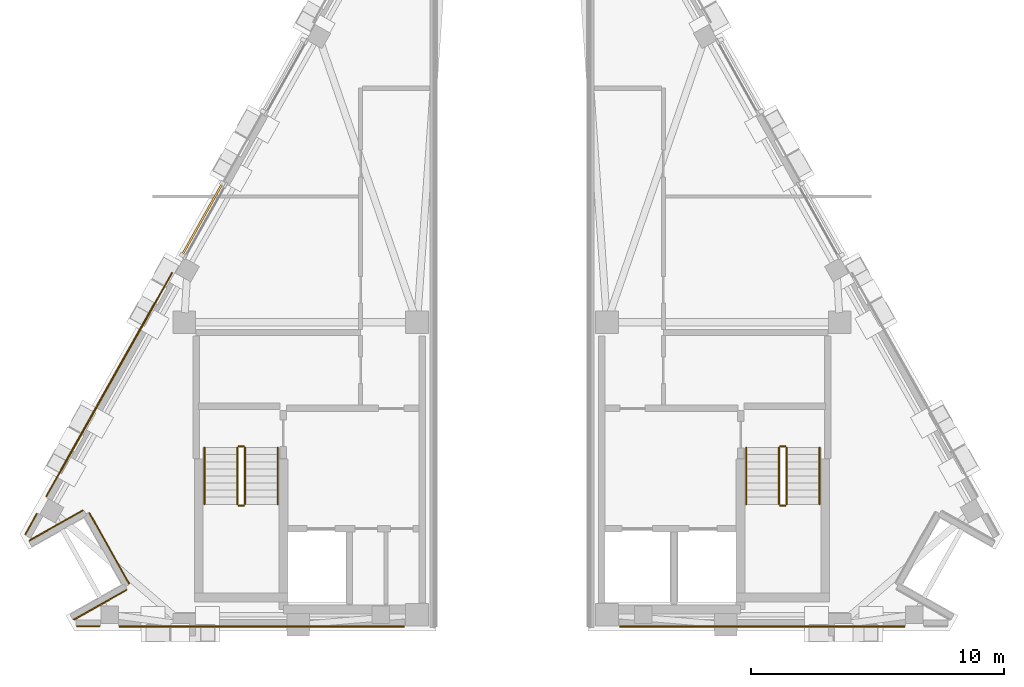
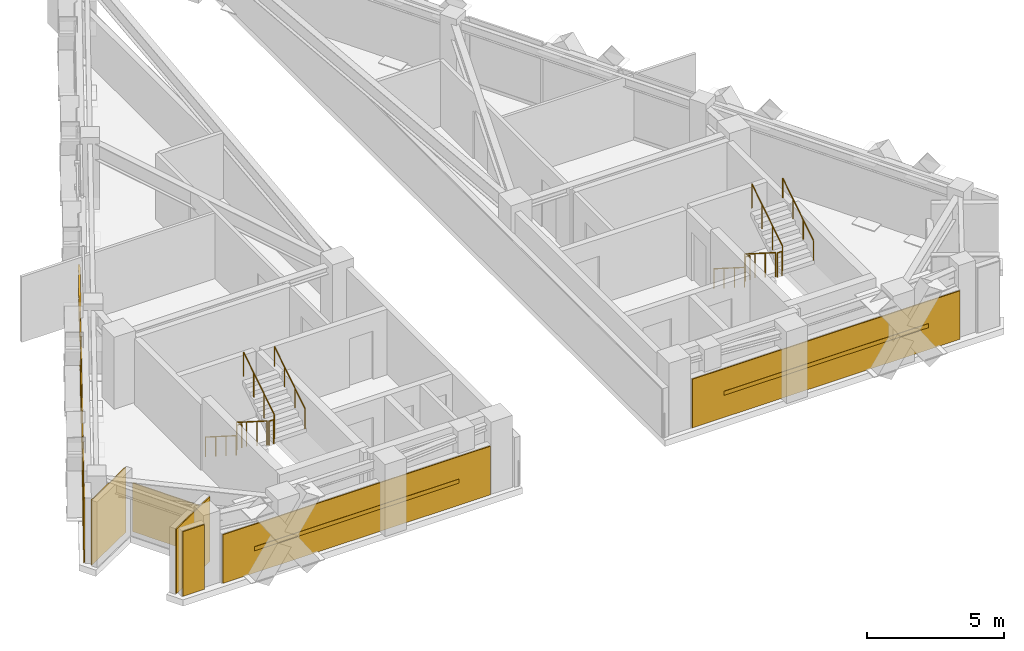
# One storey, part 6 of 7: 12 railings, 8 coverings, 5 shading devices.
"""IFC4 building model written with IfcOpenShell, lengths in metres."""

from ifc_helpers import new_model, si_unit, direction, frame, origin, origin_2d, place, context, subcontext, project, spatial, polyline, rectangle, circle, outline, extrude, material, layer, layer_set, material_profile, profile_set, type_object, element, save


model = new_model("IFC4")

# Units and contexts
model_context = context("Model", 3, precision=1e-05, world=origin(), true_north=direction((0.0, 1.0)))
body_context = subcontext(model_context, "Body", "Model", "MODEL_VIEW")
ifc_project = project(units=[si_unit("LENGTHUNIT", "METRE"), si_unit("AREAUNIT", "SQUARE_METRE"), si_unit("VOLUMEUNIT", "CUBIC_METRE"), si_unit("PLANEANGLEUNIT", "RADIAN"), si_unit("MASSUNIT", "GRAM", prefix="KILO")], contexts=[model_context])

# Site, building, storey
site_placement = place(None, origin())
site = spatial("IfcSite", under=ifc_project, at=site_placement, CompositionType="ELEMENT")
building_placement = place(site_placement, origin())
building = spatial("IfcBuilding", under=site, at=building_placement, Name="Quenlor Broadcast Tower", CompositionType="ELEMENT")
storey_placement = place(building_placement, frame((0.0, 0.0, 274.10009765625)))
storey = spatial("IfcBuildingStorey", under=building, at=storey_placement, Name="L76", CompositionType="ELEMENT", Elevation=274.10009765625)

# Shading devices
ifc_material_1 = material(Name="Architectural Terracotta Ceramic", Category="masonry")
ifc_material_profile_1 = material_profile(ifc_material_1, rectangle(XDim=0.074951171875, YDim=0.110107421875, at=origin_2d()))
ifc_profile_set_1 = profile_set([ifc_material_profile_1], Name="Architectural Terracotta Ceramic BAG75x110")
shading_device_type_1 = type_object("IfcShadingDeviceType", Name="Copper Terracotta Crown Baguette Screen 110", PredefinedType="USERDEFINED", material=ifc_profile_set_1)
for number, where, z_axis, x_axis, name in (
    (1, (-13.033935546875, -2.1376953125, 1.051025390625), (0.490293391267, 0.87155745105, 0.0), (-0.87155745105, 0.490293391267, 0.0), "L76 Terracotta Baguette Screen 1"),
    (2, (-13.033935546875, -2.1376953125, 2.102294921875), (0.490293391267, 0.87155745105, 0.0), (-0.87155745105, 0.490293391267, 0.0), "L76 Terracotta Baguette Screen 2"),
):
    element("IfcShadingDevice", number, at=place(storey_placement, frame(where, z_axis=z_axis, x_axis=x_axis)), inside=storey, type_object=shading_device_type_1, Name=name, ObjectType="BAGUETTE", PredefinedType="USERDEFINED", context=body_context, shape_type="SweptSolid", body=[
        extrude(rectangle(XDim=0.074951171875, YDim=0.110107421875, at=origin_2d()), origin(), (0.0, 0.0, 1.0), 3.24462890625),
    ])

# Coverings
ifc_material_2 = material(Name="Architectural Terracotta Ceramic", Category="masonry")
ifc_layer = layer(ifc_material_2, 0.044921875)
ifc_layer_set = layer_set([ifc_layer], Name="Fluted Terracotta Rainscreen Cladding Panel")
covering_type = type_object("IfcCoveringType", Name="Fluted Terracotta Rainscreen Cladding Panel", PredefinedType="CLADDING", material=ifc_layer_set)
covering_1_placement = place(storey_placement, frame((0.0, 0.0, 0.02001953125)))
element("IfcCovering", 3, at=covering_1_placement, inside=storey, type_object=covering_type, Name="L76 Terracotta Rainscreen Cladding L76-SHD-SS1", PredefinedType="CLADDING", context=body_context, shape_type="SweptSolid", body=[
    extrude(outline(polyline([(-16.28271484375, -16.787109375), (-17.18994140625, -16.787109375), (-17.18994140625, -16.83203125), (-16.28271484375, -16.83203125), (-16.28271484375, -16.787109375)])), origin(), (0.0, 0.0, 1.0), 2.8798828125),
])
covering_2_placement = place(storey_placement, frame((0.0, 0.0, 0.02001953125)))
element("IfcCovering", 4, at=covering_2_placement, inside=storey, type_object=covering_type, Name="L76 Terracotta Rainscreen Cladding L76-EW-SA", PredefinedType="CLADDING", context=body_context, shape_type="SweptSolid", body=[
    extrude(outline(polyline([(15.5126953125, -16.797119140625), (4.25, -16.797119140625), (4.25, -16.842041015625), (15.5126953125, -16.842041015625), (15.5126953125, -16.797119140625)])), origin(), (0.0, 0.0, 1.0), 2.163818359375),
])
covering_3_placement = place(storey_placement, frame((0.0, 0.0, 0.02001953125)))
element("IfcCovering", 5, at=covering_3_placement, inside=storey, type_object=covering_type, Name="L76 Terracotta Rainscreen Cladding L76-EW-SC", PredefinedType="CLADDING", context=body_context, shape_type="SweptSolid", body=[
    extrude(outline(polyline([(-4.25, -16.797119140625), (-15.5126953125, -16.797119140625), (-15.5126953125, -16.842041015625), (-4.25, -16.842041015625), (-4.25, -16.797119140625)])), origin(), (0.0, 0.0, 1.0), 2.163818359375),
])
covering_4_placement = place(storey_placement, frame((0.0, 0.0, 0.02001953125)))
element("IfcCovering", 6, at=covering_4_placement, inside=storey, type_object=covering_type, Name="L76 Terracotta Rainscreen Cladding L76-SHD-NWS0", PredefinedType="CLADDING", context=body_context, shape_type="SweptSolid", body=[
    extrude(outline(polyline([(-19.210205078125, -13.185791015625), (-18.751708984375, -12.37109375), (-18.791015625, -12.34912109375), (-19.24951171875, -13.163818359375), (-19.210205078125, -13.185791015625)])), origin(), (0.0, 0.0, 1.0), 2.8798828125),
])
covering_5_placement = place(storey_placement, frame((0.0, 0.0, 0.02001953125)))
element("IfcCovering", 7, at=covering_5_placement, inside=storey, type_object=covering_type, Name="L76 Terracotta Rainscreen Cladding L76-EW-NWA", PredefinedType="CLADDING", context=body_context, shape_type="SweptSolid", body=[
    extrude(outline(polyline([(-18.383056640625, -11.695068359375), (-13.40380859375, -2.843017578125), (-13.443115234375, -2.821044921875), (-18.42236328125, -11.673095703125), (-18.383056640625, -11.695068359375)])), origin(), (0.0, 0.0, 1.0), 2.8798828125),
])
covering_6_placement = place(storey_placement, frame((0.0, 0.0, 0.02001953125)))
element("IfcCovering", 8, at=covering_6_placement, inside=storey, type_object=covering_type, Name="L76 Terracotta Rainscreen Cladding L76-CNR-13", PredefinedType="CLADDING", context=body_context, shape_type="SweptSolid", body=[
    extrude(outline(polyline([(-19.062255859375, -13.444091796875), (-16.935546875, -12.247802734375), (-16.95751953125, -12.208740234375), (-19.084228515625, -13.405029296875), (-19.062255859375, -13.444091796875)])), origin(), (0.0, 0.0, 1.0), 2.8798828125),
])
covering_7_placement = place(storey_placement, frame((0.0, 0.0, 0.02001953125)))
element("IfcCovering", 9, at=covering_7_placement, inside=storey, type_object=covering_type, Name="L76 Terracotta Rainscreen Cladding L76-CNR-14", PredefinedType="CLADDING", context=body_context, shape_type="SweptSolid", body=[
    extrude(outline(polyline([(-16.72265625, -12.3369140625), (-15.14599609375, -15.139892578125), (-15.106689453125, -15.117919921875), (-16.683349609375, -12.31494140625), (-16.72265625, -12.3369140625)])), origin(), (0.0, 0.0, 1.0), 2.163818359375),
])
covering_8_placement = place(storey_placement, frame((0.0, 0.0, 0.02001953125)))
element("IfcCovering", 10, at=covering_8_placement, inside=storey, type_object=covering_type, Name="L76 Terracotta Rainscreen Cladding L76-CNR-15", PredefinedType="CLADDING", context=body_context, shape_type="SweptSolid", body=[
    extrude(outline(polyline([(-15.23486328125, -15.352783203125), (-17.32666015625, -16.529541015625), (-17.3046875, -16.568603515625), (-15.212890625, -15.39208984375), (-15.23486328125, -15.352783203125)])), origin(), (0.0, 0.0, 1.0), 2.8798828125),
])

# Railings
ifc_material_3 = material(Name="Anodised Aluminium", Category="aluminium")
railing_type_1 = type_object("IfcRailingType", Name="Stainless Aluminium Wall Handrail 900", PredefinedType="HANDRAIL", material=ifc_material_3)
railing_1_placement = place(storey_placement, frame((-12.14990234375, -9.75, 0.177734375)))
element("IfcRailing", 11, at=railing_1_placement, inside=storey, type_object=railing_type_1, Name="L76 ST-1 stair handrail 1", PredefinedType="HANDRAIL", context=body_context, shape_type="SweptSolid", body=[
    extrude(circle(Radius=0.02392578125, at=origin_2d()), frame((0.0, 0.0, 0.8759765625), z_axis=(0.0, -0.8442293374, 0.53598211339), x_axis=(1.0, 0.0, 0.0)), (0.0, 0.0, 1.0), 2.6533203125),
    extrude(circle(Radius=0.02099609375, at=origin_2d()), origin(), (0.0, 0.0, 1.0), 0.851806640625),
    extrude(circle(Radius=0.02099609375, at=origin_2d()), frame((0.0, -0.74658203125, 0.47412109375)), (0.0, 0.0, 1.0), 0.851806640625),
    extrude(circle(Radius=0.02099609375, at=origin_2d()), frame((0.0, -1.493408203125, 0.947998046875)), (0.0, 0.0, 1.0), 0.851806640625),
    extrude(circle(Radius=0.02099609375, at=origin_2d()), frame((0.0, -2.239990234375, 1.422119140625)), (0.0, 0.0, 1.0), 0.851806640625),
])
railing_2_placement = place(storey_placement, frame((-9.25, -11.989990234375, 1.777587890625)))
element("IfcRailing", 12, at=railing_2_placement, inside=storey, type_object=railing_type_1, Name="L76 ST-1 stair handrail 2", PredefinedType="HANDRAIL", context=body_context, shape_type="SweptSolid", body=[
    extrude(circle(Radius=0.02392578125, at=origin_2d()), frame((0.0, 0.0, 0.8759765625), z_axis=(0.0, 0.84418770128, 0.536047689118), x_axis=(-1.0, 0.0, 0.0)), (0.0, 0.0, 1.0), 2.6533203125),
    extrude(circle(Radius=0.02099609375, at=origin_2d()), origin(), (0.0, 0.0, 1.0), 0.851806640625),
    extrude(circle(Radius=0.02099609375, at=origin_2d()), frame((0.0, 0.74658203125, 0.47412109375)), (0.0, 0.0, 1.0), 0.851806640625),
    extrude(circle(Radius=0.02099609375, at=origin_2d()), frame((0.0, 1.493408203125, 0.9482421875)), (0.0, 0.0, 1.0), 0.851806640625),
    extrude(circle(Radius=0.02099609375, at=origin_2d()), frame((0.0, 2.239990234375, 1.42236328125)), (0.0, 0.0, 1.0), 0.851806640625),
])
railing_3_placement = place(storey_placement, frame((9.25, -9.75, 0.177734375)))
element("IfcRailing", 13, at=railing_3_placement, inside=storey, type_object=railing_type_1, Name="L76 ST-2 stair handrail 1", PredefinedType="HANDRAIL", context=body_context, shape_type="SweptSolid", body=[
    extrude(circle(Radius=0.02392578125, at=origin_2d()), frame((0.0, 0.0, 0.8759765625), z_axis=(0.0, -0.8442293374, 0.53598211339), x_axis=(1.0, 0.0, 0.0)), (0.0, 0.0, 1.0), 2.6533203125),
    extrude(circle(Radius=0.02099609375, at=origin_2d()), origin(), (0.0, 0.0, 1.0), 0.851806640625),
    extrude(circle(Radius=0.02099609375, at=origin_2d()), frame((0.0, -0.74658203125, 0.47412109375)), (0.0, 0.0, 1.0), 0.851806640625),
    extrude(circle(Radius=0.02099609375, at=origin_2d()), frame((0.0, -1.493408203125, 0.947998046875)), (0.0, 0.0, 1.0), 0.851806640625),
    extrude(circle(Radius=0.02099609375, at=origin_2d()), frame((0.0, -2.239990234375, 1.422119140625)), (0.0, 0.0, 1.0), 0.851806640625),
])
railing_4_placement = place(storey_placement, frame((12.14990234375, -11.989990234375, 1.777587890625)))
element("IfcRailing", 14, at=railing_4_placement, inside=storey, type_object=railing_type_1, Name="L76 ST-2 stair handrail 2", PredefinedType="HANDRAIL", context=body_context, shape_type="SweptSolid", body=[
    extrude(circle(Radius=0.02392578125, at=origin_2d()), frame((0.0, 0.0, 0.8759765625), z_axis=(0.0, 0.84418770128, 0.536047689118), x_axis=(-1.0, 0.0, 0.0)), (0.0, 0.0, 1.0), 2.6533203125),
    extrude(circle(Radius=0.02099609375, at=origin_2d()), origin(), (0.0, 0.0, 1.0), 0.851806640625),
    extrude(circle(Radius=0.02099609375, at=origin_2d()), frame((0.0, 0.74658203125, 0.47412109375)), (0.0, 0.0, 1.0), 0.851806640625),
    extrude(circle(Radius=0.02099609375, at=origin_2d()), frame((0.0, 1.493408203125, 0.9482421875)), (0.0, 0.0, 1.0), 0.851806640625),
    extrude(circle(Radius=0.02099609375, at=origin_2d()), frame((0.0, 2.239990234375, 1.42236328125)), (0.0, 0.0, 1.0), 0.851806640625),
])

# Shading devices
ifc_material_4 = material(Name="Architectural Terracotta Ceramic", Category="masonry")
ifc_material_profile_2 = material_profile(ifc_material_4, rectangle(XDim=0.06005859375, YDim=0.179931640625, at=origin_2d()))
ifc_profile_set_2 = profile_set([ifc_material_profile_2], Name="Architectural Terracotta Ceramic LVR60x180")
shading_device_type_2 = type_object("IfcShadingDeviceType", Name="Terracotta Acoustic Plant Weather Louvre 180", PredefinedType="JALOUSIE", material=ifc_profile_set_2)
for number, where, z_axis, x_axis, name in (
    (15, (14.183837890625, -16.822998046875, 1.101806640625), (-1.0, 0.0, 0.0), (0.0, -1.0, 0.0), "L76 Plant Weather Louvre L76-LV-SA"),
    (16, (-5.57861328125, -16.822998046875, 1.101806640625), (-1.0, 0.0, 0.0), (0.0, -1.0, 0.0), "L76 Plant Weather Louvre L76-LV-SC"),
):
    element("IfcShadingDevice", number, at=place(storey_placement, frame(where, z_axis=z_axis, x_axis=x_axis)), inside=storey, type_object=shading_device_type_2, Name=name, PredefinedType="JALOUSIE", context=body_context, shape_type="SweptSolid", body=[
        extrude(rectangle(XDim=0.06005859375, YDim=0.179931640625, at=origin_2d()), origin(), (0.0, 0.0, 1.0), 8.605224609375),
    ])
shading_device_placement = place(storey_placement, frame((-17.8193359375, -10.639892578125, 1.4599609375), z_axis=(0.490276168503, 0.871567139467, 0.0), x_axis=(-0.871567139467, 0.490276168503, 0.0)))
element("IfcShadingDevice", 17, at=shading_device_placement, inside=storey, type_object=shading_device_type_2, Name="L76 Plant Weather Louvre L76-LV-NWA", PredefinedType="JALOUSIE", context=body_context, shape_type="SweptSolid", body=[
    extrude(rectangle(XDim=0.06005859375, YDim=0.179931640625, at=origin_2d()), origin(), (0.0, 0.0, 1.0), 7.76416015625),
])

# Railings
ifc_material_5 = material(Name="Steel S355", Category="steel")
railing_type_2 = type_object("IfcRailingType", Name="Tubular Steel S355 Stair Guardrail 1100", PredefinedType="BALUSTRADE", material=ifc_material_5)
railing_5_placement = place(storey_placement, frame((-10.85009765625, -9.75, 0.177734375)))
element("IfcRailing", 18, at=railing_5_placement, inside=storey, type_object=railing_type_2, Name="L76 ST-1 stair guard 1", PredefinedType="BALUSTRADE", context=body_context, shape_type="SweptSolid", body=[
    extrude(circle(Radius=0.02392578125, at=origin_2d()), frame((0.0, 0.0, 1.076171875), z_axis=(0.0, -0.8442293374, 0.53598211339), x_axis=(1.0, 0.0, 0.0)), (0.0, 0.0, 1.0), 2.6533203125),
    extrude(circle(Radius=0.02099609375, at=origin_2d()), origin(), (0.0, 0.0, 1.0), 1.052001953125),
    extrude(circle(Radius=0.02099609375, at=origin_2d()), frame((0.0, -0.74658203125, 0.47412109375)), (0.0, 0.0, 1.0), 1.052001953125),
    extrude(circle(Radius=0.02099609375, at=origin_2d()), frame((0.0, -1.493408203125, 0.947998046875)), (0.0, 0.0, 1.0), 1.052001953125),
    extrude(circle(Radius=0.02099609375, at=origin_2d()), frame((0.0, -2.239990234375, 1.422119140625)), (0.0, 0.0, 1.0), 1.052001953125),
])
railing_6_placement = place(storey_placement, frame((-10.800048828125, -12.0400390625, 1.599853515625)))
element("IfcRailing", 19, at=railing_6_placement, inside=storey, type_object=railing_type_2, Name="L76 ST-1 stair guard 2", PredefinedType="BALUSTRADE", context=body_context, shape_type="SweptSolid", body=[
    extrude(circle(Radius=0.02392578125, at=origin_2d()), frame((0.0, 0.0, 1.076171875), z_axis=(1.0, 0.0, 0.0), x_axis=(0.0, 1.0, 0.0)), (0.0, 0.0, 1.0), 0.199951171875),
    extrude(circle(Radius=0.02099609375, at=origin_2d()), origin(), (0.0, 0.0, 1.0), 1.052001953125),
    extrude(circle(Radius=0.02099609375, at=origin_2d()), frame((0.199951171875, 0.0, 0.0)), (0.0, 0.0, 1.0), 1.052001953125),
])
railing_7_placement = place(storey_placement, frame((-10.550048828125, -11.989990234375, 1.777587890625)))
element("IfcRailing", 20, at=railing_7_placement, inside=storey, type_object=railing_type_2, Name="L76 ST-1 stair guard 3", PredefinedType="BALUSTRADE", context=body_context, shape_type="SweptSolid", body=[
    extrude(circle(Radius=0.02392578125, at=origin_2d()), frame((0.0, 0.0, 1.076171875), z_axis=(0.0, 0.84418770128, 0.536047689118), x_axis=(-1.0, 0.0, 0.0)), (0.0, 0.0, 1.0), 2.6533203125),
    extrude(circle(Radius=0.02099609375, at=origin_2d()), origin(), (0.0, 0.0, 1.0), 1.052001953125),
    extrude(circle(Radius=0.02099609375, at=origin_2d()), frame((0.0, 0.74658203125, 0.47412109375)), (0.0, 0.0, 1.0), 1.052001953125),
    extrude(circle(Radius=0.02099609375, at=origin_2d()), frame((0.0, 1.493408203125, 0.9482421875)), (0.0, 0.0, 1.0), 1.052001953125),
    extrude(circle(Radius=0.02099609375, at=origin_2d()), frame((0.0, 2.239990234375, 1.42236328125)), (0.0, 0.0, 1.0), 1.052001953125),
])
railing_8_placement = place(storey_placement, frame((-10.800048828125, -9.699951171875, 0.0)))
element("IfcRailing", 21, at=railing_8_placement, inside=storey, type_object=railing_type_2, Name="L76 ST-1 stair guard 4", PredefinedType="BALUSTRADE", context=body_context, shape_type="SweptSolid", body=[
    extrude(circle(Radius=0.02392578125, at=origin_2d()), frame((0.0, 0.0, 1.076171875), z_axis=(1.0, 0.0, 0.0), x_axis=(0.0, 1.0, 0.0)), (0.0, 0.0, 1.0), 0.199951171875),
    extrude(circle(Radius=0.02099609375, at=origin_2d()), origin(), (0.0, 0.0, 1.0), 1.052001953125),
    extrude(circle(Radius=0.02099609375, at=origin_2d()), frame((0.199951171875, 0.0, 0.0)), (0.0, 0.0, 1.0), 1.052001953125),
])
railing_9_placement = place(storey_placement, frame((10.550048828125, -9.75, 0.177734375)))
element("IfcRailing", 22, at=railing_9_placement, inside=storey, type_object=railing_type_2, Name="L76 ST-2 stair guard 1", PredefinedType="BALUSTRADE", context=body_context, shape_type="SweptSolid", body=[
    extrude(circle(Radius=0.02392578125, at=origin_2d()), frame((0.0, 0.0, 1.076171875), z_axis=(0.0, -0.8442293374, 0.53598211339), x_axis=(1.0, 0.0, 0.0)), (0.0, 0.0, 1.0), 2.6533203125),
    extrude(circle(Radius=0.02099609375, at=origin_2d()), origin(), (0.0, 0.0, 1.0), 1.052001953125),
    extrude(circle(Radius=0.02099609375, at=origin_2d()), frame((0.0, -0.74658203125, 0.47412109375)), (0.0, 0.0, 1.0), 1.052001953125),
    extrude(circle(Radius=0.02099609375, at=origin_2d()), frame((0.0, -1.493408203125, 0.947998046875)), (0.0, 0.0, 1.0), 1.052001953125),
    extrude(circle(Radius=0.02099609375, at=origin_2d()), frame((0.0, -2.239990234375, 1.422119140625)), (0.0, 0.0, 1.0), 1.052001953125),
])
railing_10_placement = place(storey_placement, frame((10.60009765625, -12.0400390625, 1.599853515625)))
element("IfcRailing", 23, at=railing_10_placement, inside=storey, type_object=railing_type_2, Name="L76 ST-2 stair guard 2", PredefinedType="BALUSTRADE", context=body_context, shape_type="SweptSolid", body=[
    extrude(circle(Radius=0.02392578125, at=origin_2d()), frame((0.0, 0.0, 1.076171875), z_axis=(1.0, 0.0, 0.0), x_axis=(0.0, 1.0, 0.0)), (0.0, 0.0, 1.0), 0.199951171875),
    extrude(circle(Radius=0.02099609375, at=origin_2d()), origin(), (0.0, 0.0, 1.0), 1.052001953125),
    extrude(circle(Radius=0.02099609375, at=origin_2d()), frame((0.199951171875, 0.0, 0.0)), (0.0, 0.0, 1.0), 1.052001953125),
])
railing_11_placement = place(storey_placement, frame((10.85009765625, -11.989990234375, 1.777587890625)))
element("IfcRailing", 24, at=railing_11_placement, inside=storey, type_object=railing_type_2, Name="L76 ST-2 stair guard 3", PredefinedType="BALUSTRADE", context=body_context, shape_type="SweptSolid", body=[
    extrude(circle(Radius=0.02392578125, at=origin_2d()), frame((0.0, 0.0, 1.076171875), z_axis=(0.0, 0.84418770128, 0.536047689118), x_axis=(-1.0, 0.0, 0.0)), (0.0, 0.0, 1.0), 2.6533203125),
    extrude(circle(Radius=0.02099609375, at=origin_2d()), origin(), (0.0, 0.0, 1.0), 1.052001953125),
    extrude(circle(Radius=0.02099609375, at=origin_2d()), frame((0.0, 0.74658203125, 0.47412109375)), (0.0, 0.0, 1.0), 1.052001953125),
    extrude(circle(Radius=0.02099609375, at=origin_2d()), frame((0.0, 1.493408203125, 0.9482421875)), (0.0, 0.0, 1.0), 1.052001953125),
    extrude(circle(Radius=0.02099609375, at=origin_2d()), frame((0.0, 2.239990234375, 1.42236328125)), (0.0, 0.0, 1.0), 1.052001953125),
])
railing_12_placement = place(storey_placement, frame((10.60009765625, -9.699951171875, 0.0)))
element("IfcRailing", 25, at=railing_12_placement, inside=storey, type_object=railing_type_2, Name="L76 ST-2 stair guard 4", PredefinedType="BALUSTRADE", context=body_context, shape_type="SweptSolid", body=[
    extrude(circle(Radius=0.02392578125, at=origin_2d()), frame((0.0, 0.0, 1.076171875), z_axis=(1.0, 0.0, 0.0), x_axis=(0.0, 1.0, 0.0)), (0.0, 0.0, 1.0), 0.199951171875),
    extrude(circle(Radius=0.02099609375, at=origin_2d()), origin(), (0.0, 0.0, 1.0), 1.052001953125),
    extrude(circle(Radius=0.02099609375, at=origin_2d()), frame((0.199951171875, 0.0, 0.0)), (0.0, 0.0, 1.0), 1.052001953125),
])

save(model, "model.ifc")
